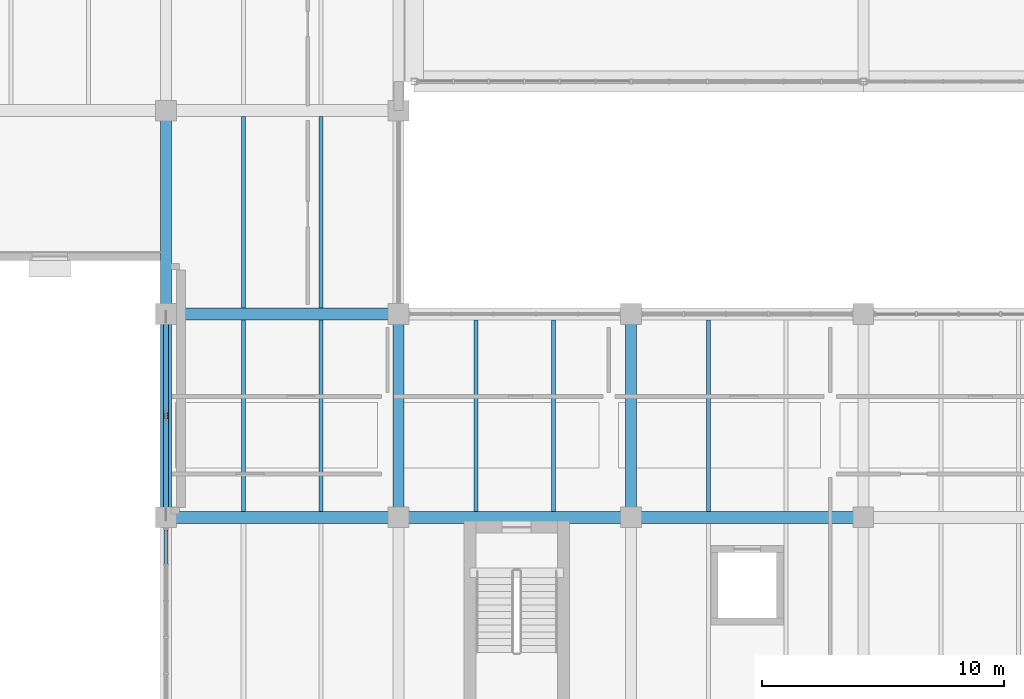
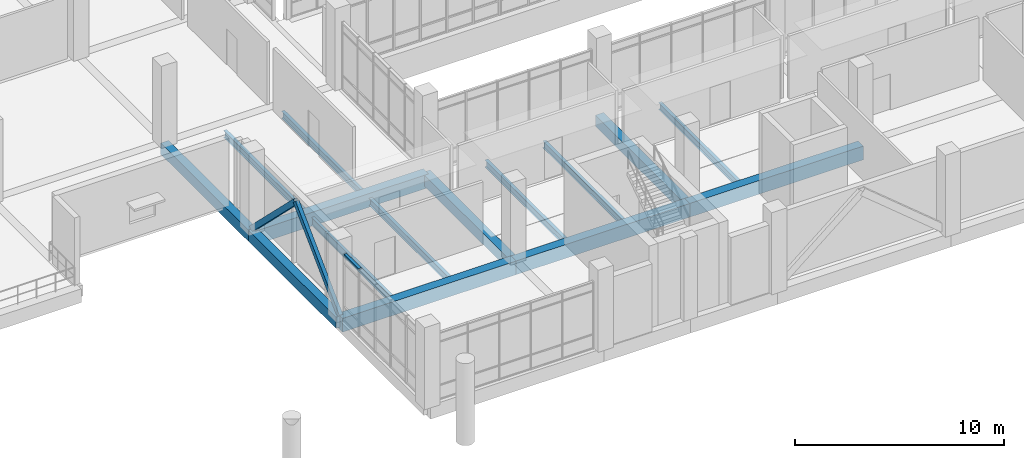
# One storey, part 43 of 152: 15 beams, 3 members, 1 element without a shape of its own.
"""IFC4 building model written with IfcOpenShell, lengths in metres."""

from ifc_helpers import new_model, si_unit, direction, frame, origin, origin_2d, place, context, subcontext, project, spatial, rectangle, hollow_rectangle, i_section, extrude, material, material_profile, profile_set, type_object, element, aggregate, save


model = new_model("IFC4")

# Units and contexts
model_context = context("Model", 3, precision=1e-05, world=origin(), true_north=direction((0.0, 1.0)))
body_context = subcontext(model_context, "Body", "Model", "MODEL_VIEW")
ifc_project = project(units=[si_unit("LENGTHUNIT", "METRE"), si_unit("AREAUNIT", "SQUARE_METRE"), si_unit("VOLUMEUNIT", "CUBIC_METRE"), si_unit("PLANEANGLEUNIT", "RADIAN"), si_unit("MASSUNIT", "GRAM", prefix="KILO")], contexts=[model_context])

# Site, building, storey
site_placement = place(None, origin())
site = spatial("IfcSite", under=ifc_project, at=site_placement, CompositionType="ELEMENT")
building_placement = place(site_placement, origin())
building = spatial("IfcBuilding", under=site, at=building_placement, Name="Oolite Switchyard Hospital", CompositionType="ELEMENT")
storey_placement = place(building_placement, frame((0.0, 0.0, 5.10009765625)))
storey = spatial("IfcBuildingStorey", under=building, at=storey_placement, Name="L01", CompositionType="ELEMENT", Elevation=5.10009765625)

# Beams
ifc_material_1 = material(Name="Concrete C40/50", Category="concrete")
ifc_material_profile_1 = material_profile(ifc_material_1, rectangle(XDim=0.449951171875, YDim=0.64990234375, at=origin_2d()), Name="RCB450X650")
ifc_profile_set_1 = profile_set([ifc_material_profile_1], Name="Concrete C40/50")
beam_type_1 = type_object("IfcBeamType", Name="BM-RC450X650", PredefinedType="BEAM", material=ifc_profile_set_1)
beam_1_placement = place(storey_placement, frame((134.39990234375, 16.800048828125, -0.3251953125), z_axis=(0.0, 1.0, 0.0), x_axis=(-1.0, 0.0, 0.0)))
element("IfcBeam", 1, at=beam_1_placement, inside=storey, type_object=beam_type_1, Name="L01 Y-Girder 445", PredefinedType="BEAM", context=body_context, shape_type="SweptSolid", body=[
    extrude(rectangle(XDim=0.449951171875, YDim=0.64990234375, at=origin_2d()), origin(), (0.0, 0.0, 1.0), 8.39990234375),
])
beam_2_placement = place(storey_placement, frame((134.39990234375, 25.199951171875, -0.3251953125), z_axis=(0.0, 1.0, 0.0), x_axis=(-1.0, 0.0, 0.0)))
element("IfcBeam", 2, at=beam_2_placement, inside=storey, type_object=beam_type_1, Name="L01 Y-Girder 446", PredefinedType="BEAM", context=body_context, shape_type="SweptSolid", body=[
    extrude(rectangle(XDim=0.449951171875, YDim=0.64990234375, at=origin_2d()), origin(), (0.0, 0.0, 1.0), 8.400146484375),
])
for number, where, z_axis, x_axis, name in (
    (3, (144.0, 16.800048828125, -0.3251953125), (0.0, 1.0, 0.0), (-1.0, 0.0, 0.0), "L01 Y-Girder 460"),
    (4, (153.60009765625, 16.800048828125, -0.3251953125), (0.0, 1.0, 0.0), (-1.0, 0.0, 0.0), "L01 Y-Girder 477"),
):
    element("IfcBeam", number, at=place(storey_placement, frame(where, z_axis=z_axis, x_axis=x_axis)), inside=storey, type_object=beam_type_1, Name=name, PredefinedType="BEAM", context=body_context, shape_type="SweptSolid", body=[
        extrude(rectangle(XDim=0.449951171875, YDim=0.64990234375, at=origin_2d()), origin(), (0.0, 0.0, 1.0), 8.39990234375),
    ])
ifc_material_profile_2 = material_profile(ifc_material_1, rectangle(XDim=0.5, YDim=0.800048828125, at=origin_2d()), Name="RCB500X800")
ifc_profile_set_2 = profile_set([ifc_material_profile_2], Name="Concrete C40/50")
beam_type_2 = type_object("IfcBeamType", Name="BM-RC500X800", PredefinedType="BEAM", material=ifc_profile_set_2)
for number, where, z_axis, x_axis, name in (
    (5, (134.39990234375, 16.800048828125, -0.400146484375), (1.0, 0.0, 0.0), (0.0, 1.0, 0.0), "L01 X-Girder 33"),
    (6, (144.0, 16.800048828125, -0.400146484375), (1.0, 0.0, 0.0), (0.0, 1.0, 0.0), "L01 X-Girder 34"),
):
    element("IfcBeam", number, at=place(storey_placement, frame(where, z_axis=z_axis, x_axis=x_axis)), inside=storey, type_object=beam_type_2, Name=name, PredefinedType="BEAM", context=body_context, shape_type="SweptSolid", body=[
        extrude(rectangle(XDim=0.5, YDim=0.800048828125, at=origin_2d()), origin(), (0.0, 0.0, 1.0), 9.60009765625),
    ])
beam_3_placement = place(storey_placement, frame((153.60009765625, 16.800048828125, -0.400146484375), z_axis=(1.0, 0.0, 0.0), x_axis=(0.0, 1.0, 0.0)))
element("IfcBeam", 7, at=beam_3_placement, inside=storey, type_object=beam_type_2, Name="L01 X-Girder 35", PredefinedType="BEAM", context=body_context, shape_type="SweptSolid", body=[
    extrude(rectangle(XDim=0.5, YDim=0.800048828125, at=origin_2d()), origin(), (0.0, 0.0, 1.0), 9.599853515625),
])
beam_4_placement = place(storey_placement, frame((134.39990234375, 25.199951171875, -0.400146484375), z_axis=(1.0, 0.0, 0.0), x_axis=(0.0, 1.0, 0.0)))
element("IfcBeam", 8, at=beam_4_placement, inside=storey, type_object=beam_type_2, Name="L01 X-Girder 54", PredefinedType="BEAM", context=body_context, shape_type="SweptSolid", body=[
    extrude(rectangle(XDim=0.5, YDim=0.800048828125, at=origin_2d()), origin(), (0.0, 0.0, 1.0), 9.60009765625),
])
ifc_material_2 = material(Name="Steel ASTM A992 Grade 50", Category="steel")
ifc_material_profile_3 = material_profile(ifc_material_2, i_section(OverallWidth=0.177978515625, OverallDepth=0.403076171875, WebThickness=0.008056640625, FlangeThickness=0.010986328125, at=origin_2d()), Name="W16X36")
ifc_profile_set_3 = profile_set([ifc_material_profile_3], Name="Steel ASTM A992 Grade 50")
beam_type_3 = type_object("IfcBeamType", Name="BM-W16X36", PredefinedType="JOIST", material=ifc_profile_set_3)
beam_5_placement = place(storey_placement, frame((140.800048828125, 25.449951171875, -0.47705078125), z_axis=(0.0, 1.0, 0.0), x_axis=(-1.0, 0.0, 0.0)))
element("IfcBeam", 9, at=beam_5_placement, inside=storey, type_object=beam_type_3, Name="L01 Secondary Steel Joist 827", PredefinedType="JOIST", context=body_context, shape_type="SweptSolid", body=[
    extrude(i_section(OverallWidth=0.177978515625, OverallDepth=0.403076171875, WebThickness=0.008056640625, FlangeThickness=0.010986328125, at=origin_2d()), origin(), (0.0, 0.0, 1.0), 7.900146484375),
])
for number, where, z_axis, x_axis, name in (
    (10, (150.39990234375, 17.050048828125, -0.47705078125), (0.0, 1.0, 0.0), (-1.0, 0.0, 0.0), "L01 Secondary Steel Joist 853"),
    (11, (156.800048828125, 17.050048828125, -0.47705078125), (0.0, 1.0, 0.0), (-1.0, 0.0, 0.0), "L01 Secondary Steel Joist 874"),
):
    element("IfcBeam", number, at=place(storey_placement, frame(where, z_axis=z_axis, x_axis=x_axis)), inside=storey, type_object=beam_type_3, Name=name, PredefinedType="JOIST", context=body_context, shape_type="SweptSolid", body=[
        extrude(i_section(OverallWidth=0.177978515625, OverallDepth=0.403076171875, WebThickness=0.008056640625, FlangeThickness=0.010986328125, at=origin_2d()), origin(), (0.0, 0.0, 1.0), 7.89990234375),
    ])
ifc_material_profile_4 = material_profile(ifc_material_2, i_section(OverallWidth=0.179931640625, OverallDepth=0.4130859375, WebThickness=0.010009765625, FlangeThickness=0.01611328125, at=origin_2d()), Name="W16X50")
ifc_profile_set_4 = profile_set([ifc_material_profile_4], Name="Steel ASTM A992 Grade 50")
beam_type_4 = type_object("IfcBeamType", Name="BM-W16X50", PredefinedType="JOIST", material=ifc_profile_set_4)
beam_6_placement = place(storey_placement, frame((140.800048828125, 17.050048828125, -0.482177734375), z_axis=(0.0, 1.0, 0.0), x_axis=(-1.0, 0.0, 0.0)))
element("IfcBeam", 12, at=beam_6_placement, inside=storey, type_object=beam_type_4, Name="L01 Secondary Steel Joist 825", PredefinedType="JOIST", context=body_context, shape_type="SweptSolid", body=[
    extrude(i_section(OverallWidth=0.179931640625, OverallDepth=0.4130859375, WebThickness=0.010009765625, FlangeThickness=0.01611328125, at=origin_2d()), origin(), (0.0, 0.0, 1.0), 7.89990234375),
])
beam_7_placement = place(storey_placement, frame((137.60009765625, 25.449951171875, -0.482177734375), z_axis=(0.0, 1.0, 0.0), x_axis=(-1.0, 0.0, 0.0)))
element("IfcBeam", 13, at=beam_7_placement, inside=storey, type_object=beam_type_4, Name="L01 Secondary Steel Joist 826", PredefinedType="JOIST", context=body_context, shape_type="SweptSolid", body=[
    extrude(i_section(OverallWidth=0.179931640625, OverallDepth=0.4130859375, WebThickness=0.010009765625, FlangeThickness=0.01611328125, at=origin_2d()), origin(), (0.0, 0.0, 1.0), 7.900146484375),
])
beam_8_placement = place(storey_placement, frame((147.199951171875, 17.050048828125, -0.482177734375), z_axis=(0.0, 1.0, 0.0), x_axis=(-1.0, 0.0, 0.0)))
element("IfcBeam", 14, at=beam_8_placement, inside=storey, type_object=beam_type_4, Name="L01 Secondary Steel Joist 852", PredefinedType="JOIST", context=body_context, shape_type="SweptSolid", body=[
    extrude(i_section(OverallWidth=0.179931640625, OverallDepth=0.4130859375, WebThickness=0.010009765625, FlangeThickness=0.01611328125, at=origin_2d()), origin(), (0.0, 0.0, 1.0), 7.89990234375),
])
ifc_material_profile_5 = material_profile(ifc_material_2, i_section(OverallWidth=0.153076171875, OverallDepth=0.455078125, WebThickness=0.008056640625, FlangeThickness=0.012939453125, at=origin_2d()), Name="W18X40")
ifc_profile_set_5 = profile_set([ifc_material_profile_5], Name="Steel ASTM A992 Grade 50")
beam_type_5 = type_object("IfcBeamType", Name="BM-W18X40", PredefinedType="JOIST", material=ifc_profile_set_5)
beam_9_placement = place(storey_placement, frame((137.60009765625, 17.050048828125, -0.503173828125), z_axis=(0.0, 1.0, 0.0), x_axis=(-1.0, 0.0, 0.0)))
element("IfcBeam", 15, at=beam_9_placement, inside=storey, type_object=beam_type_5, Name="L01 Secondary Steel Joist 824", PredefinedType="JOIST", context=body_context, shape_type="SweptSolid", body=[
    extrude(i_section(OverallWidth=0.153076171875, OverallDepth=0.455078125, WebThickness=0.008056640625, FlangeThickness=0.012939453125, at=origin_2d()), origin(), (0.0, 0.0, 1.0), 7.89990234375),
])

# Curtain wall, member
ifc_material_3 = material(Name="Thermally broken aluminum frame with laminated impact glazing", Category="aluminium")
curtain_wall_type = type_object("IfcCurtainWallType", Name="CW-UNIT-84X48", PredefinedType="USERDEFINED", material=ifc_material_3)
curtain_wall_placement = place(storey_placement, origin())
curtain_wall = element("IfcCurtainWall", 16, at=curtain_wall_placement, inside=storey, type_object=curtain_wall_type, Name="L01 Unitised Curtain Wall 187", ObjectType="UNITISED", PredefinedType="USERDEFINED")
ifc_material_4 = material(Name="Aluminium 6063-T6", Category="aluminium")
ifc_material_profile_6 = material_profile(ifc_material_4, rectangle(XDim=0.159912109375, YDim=0.074951171875, at=origin_2d()), Name="CWT75X160")
ifc_profile_set_6 = profile_set([ifc_material_profile_6], Name="Aluminium 6063-T6")
member_type_1 = type_object("IfcMemberType", Name="CW-TRN-180", PredefinedType="USERDEFINED", material=ifc_profile_set_6)
member_placement = place(storey_placement, frame((134.39990234375, 14.8935546875, 3.90234375), z_axis=(0.0, 1.0, 0.0), x_axis=(-1.0, 0.0, 0.0)))
member = element("IfcMember", 17, at=member_placement, type_object=member_type_1, Name="CW-07 transom 5.4", ObjectType="TRANSOM", PredefinedType="USERDEFINED", context=body_context, shape_type="SweptSolid", body=[
    extrude(rectangle(XDim=0.159912109375, YDim=0.074951171875, at=origin_2d()), origin(), (0.0, 0.0, 1.0), 1.391357421875),
])
aggregate(curtain_wall, [member])

# Members
ifc_material_5 = material(Name="Steel ASTM A500 Grade C", Category="steel")
ifc_material_profile_7 = material_profile(ifc_material_5, hollow_rectangle(XDim=0.202880859375, YDim=0.304931640625, WallThickness=0.012939453125, at=origin_2d()), Name="HSS305X203X13")
ifc_profile_set_7 = profile_set([ifc_material_profile_7], Name="Steel ASTM A500 Grade C")
member_type_2 = type_object("IfcMemberType", Name="MEM-BR-RHS305", PredefinedType="BRACE", material=ifc_profile_set_7)
for number, where, z_axis, x_axis, name in (
    (18, (134.39990234375, 16.800048828125, 0.02001953125), (0.0, 0.713029550753, 0.701133981314), (-1.0, 0.0, 0.0), "L01 Chevron Brace 93"),
    (19, (134.39990234375, 25.199951171875, 0.02001953125), (0.0, -0.713029550753, 0.701133981314), (1.0, 0.0, 0.0), "L01 Chevron Brace 94"),
):
    element("IfcMember", number, at=place(storey_placement, frame(where, z_axis=z_axis, x_axis=x_axis)), inside=storey, type_object=member_type_2, Name=name, PredefinedType="BRACE", context=body_context, shape_type="SweptSolid", body=[
        extrude(hollow_rectangle(XDim=0.202880859375, YDim=0.304931640625, WallThickness=0.012939453125, at=origin_2d()), origin(), (0.0, 0.0, 1.0), 5.890380859375),
    ])

save(model, "model.ifc")
